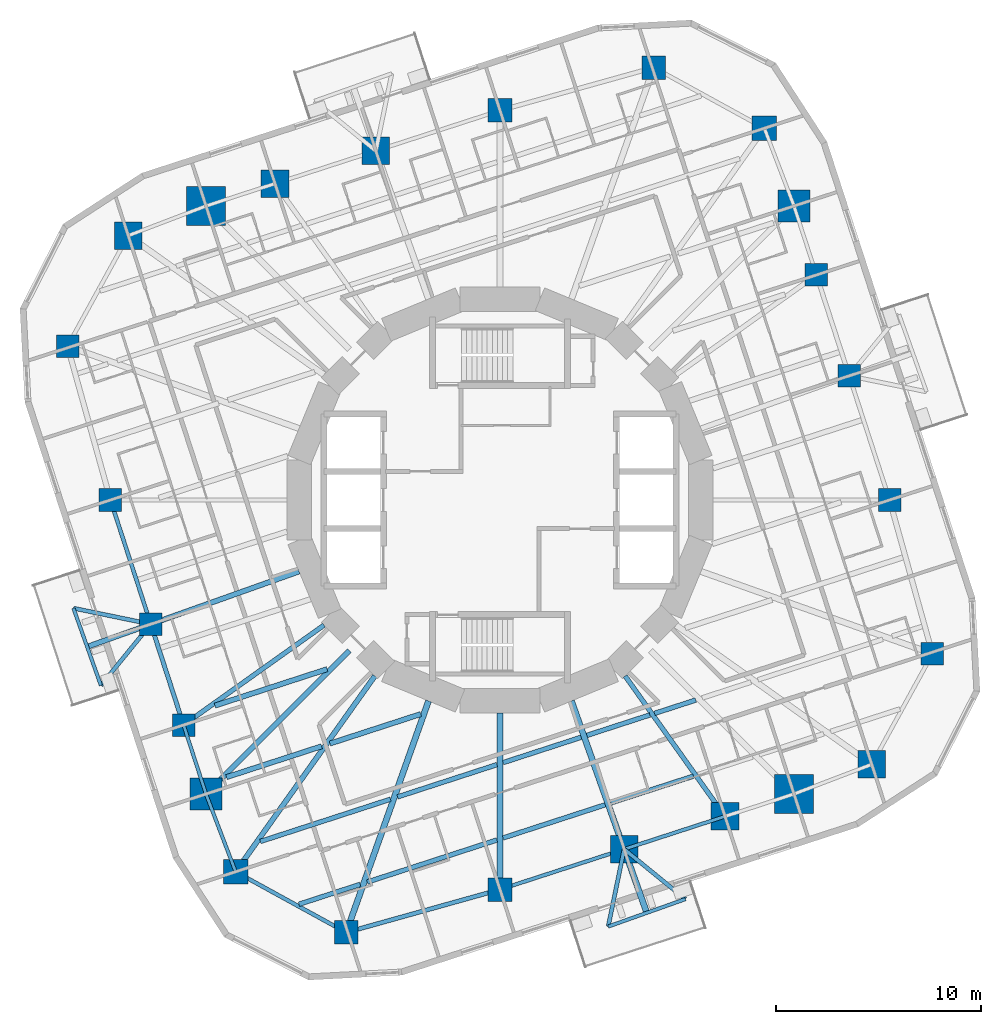
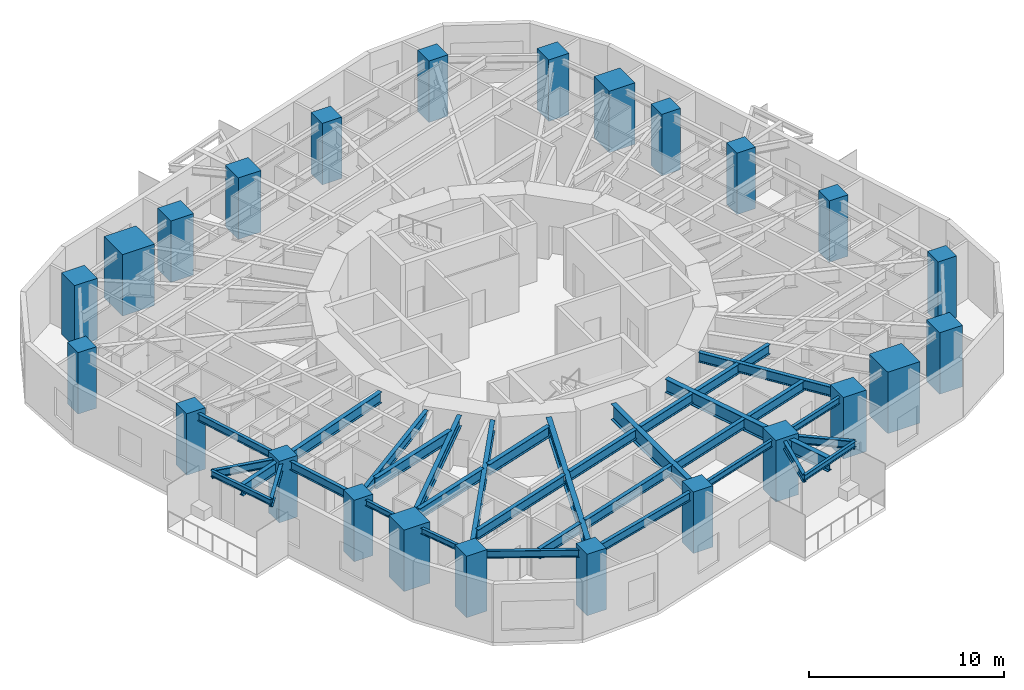
# One storey, part 1 of 13: 34 beams, 24 columns.
"""IFC4 building model written with IfcOpenShell, lengths in metres."""

from ifc_helpers import new_model, si_unit, direction, frame, origin, origin_2d, place, context, subcontext, project, spatial, rectangle, i_section, extrude, material, material_profile, profile_set, type_object, element, save


model = new_model("IFC4")

# Units and contexts
model_context = context("Model", 3, precision=1e-05, world=origin(), true_north=direction((0.0, 1.0)))
body_context = subcontext(model_context, "Body", "Model", "MODEL_VIEW")
ifc_project = project(units=[si_unit("LENGTHUNIT", "METRE"), si_unit("AREAUNIT", "SQUARE_METRE"), si_unit("VOLUMEUNIT", "CUBIC_METRE"), si_unit("PLANEANGLEUNIT", "RADIAN"), si_unit("MASSUNIT", "GRAM", prefix="KILO")], contexts=[model_context])

# Site, building, storey
site_placement = place(None, origin())
site = spatial("IfcSite", under=ifc_project, at=site_placement, CompositionType="ELEMENT")
building_placement = place(site_placement, origin())
building = spatial("IfcBuilding", under=site, at=building_placement, Name="Nakasero Lantern House", CompositionType="ELEMENT")
storey_placement = place(building_placement, frame((0.0, 0.0, 164.89990234375)))
storey = spatial("IfcBuildingStorey", under=building, at=storey_placement, Name="L40", CompositionType="ELEMENT", Elevation=164.89990234375)

# Columns
ifc_material_1 = material(Name="Concrete C50/60", Category="concrete")
ifc_material_profile_1 = material_profile(ifc_material_1, rectangle(XDim=1.550048828125, YDim=1.550048828125, at=origin_2d()), Name="RC 1550x1550")
ifc_profile_set_1 = profile_set([ifc_material_profile_1], Name="Concrete C50/60")
column_type_1 = type_object("IfcColumnType", Name="Mega column RC 1550x1550 C50/60", PredefinedType="COLUMN", material=ifc_profile_set_1)
for number, where, z_axis, x_axis, name in (
    (1, (14.3642578125, 14.3642578125, 0.0), (0.0, 0.0, 1.0), (1.0, 0.0, 0.0), "Column B4-C06 L40"),
    (2, (-14.3642578125, -14.3642578125, 0.0), (0.0, 0.0, 1.0), (1.0, 0.0, 0.0), "Column B4-C18 L40"),
):
    element("IfcColumn", number, at=place(storey_placement, frame(where, z_axis=z_axis, x_axis=x_axis)), inside=storey, type_object=column_type_1, Name=name, PredefinedType="COLUMN", context=body_context, shape_type="SweptSolid", body=[
        extrude(rectangle(XDim=1.550048828125, YDim=1.550048828125, at=origin_2d()), origin(), (0.0, 0.0, 1.0), 3.85009765625),
    ])
ifc_material_2 = material(Name="Concrete C50/60", Category="concrete")
ifc_material_profile_2 = material_profile(ifc_material_2, rectangle(XDim=1.89990234375, YDim=1.89990234375, at=origin_2d()), Name="RC 1900x1900")
ifc_profile_set_2 = profile_set([ifc_material_profile_2], Name="Concrete C50/60")
column_type_2 = type_object("IfcColumnType", Name="Mega column RC 1900x1900 C50/60", PredefinedType="COLUMN", material=ifc_profile_set_2)
for number, where, z_axis, x_axis, name in (
    (3, (-14.3642578125, 14.3642578125, 0.0), (0.0, 0.0, 1.0), (1.0, 0.0, 0.0), "Column B4-C12 L40"),
    (4, (14.3642578125, -14.3642578125, 0.0), (0.0, 0.0, 1.0), (1.0, 0.0, 0.0), "Column B4-C24 L40"),
):
    element("IfcColumn", number, at=place(storey_placement, frame(where, z_axis=z_axis, x_axis=x_axis)), inside=storey, type_object=column_type_2, Name=name, PredefinedType="COLUMN", context=body_context, shape_type="SweptSolid", body=[
        extrude(rectangle(XDim=1.89990234375, YDim=1.89990234375, at=origin_2d()), origin(), (0.0, 0.0, 1.0), 3.85009765625),
    ])
ifc_material_3 = material(Name="Concrete C50/60", Category="concrete")
ifc_material_profile_3 = material_profile(ifc_material_3, rectangle(XDim=1.10009765625, YDim=1.10009765625, at=origin_2d()), Name="RC 1100x1100")
ifc_profile_set_3 = profile_set([ifc_material_profile_3], Name="Concrete C50/60")
column_type_3 = type_object("IfcColumnType", Name="Ring column RC 1100x1100 C50/60", PredefinedType="COLUMN", material=ifc_profile_set_3)
for number, where, z_axis, x_axis, name in (
    (5, (21.129638671875, -7.5126953125, 0.0), (0.0, 0.0, 1.0), (1.0, 0.0, 0.0), "Column B4-C02 L40"),
    (6, (19.031494140625, 0.0, 0.0), (0.0, 0.0, 1.0), (1.0, 0.0, 0.0), "Column B4-C03 L40"),
    (7, (17.060546875, 6.06591796875, 0.0), (0.0, 0.0, 1.0), (1.0, 0.0, 0.0), "Column B4-C04 L40"),
    (8, (15.45947265625, 10.993408203125, 0.0), (0.0, 0.0, 1.0), (1.0, 0.0, 0.0), "Column B4-C05 L40"),
    (9, (-21.129638671875, 7.5126953125, 0.0), (0.0, 0.0, 1.0), (1.0, 0.0, 0.0), "Column B4-C14 L40"),
    (10, (-19.031494140625, 0.0, 0.0), (0.0, 0.0, 1.0), (1.0, 0.0, 0.0), "Column B4-C15 L40"),
    (11, (-17.060546875, -6.06591796875, 0.0), (0.0, 0.0, 1.0), (1.0, 0.0, 0.0), "Column B4-C16 L40"),
    (12, (-15.45947265625, -10.993408203125, 0.0), (0.0, 0.0, 1.0), (1.0, 0.0, 0.0), "Column B4-C17 L40"),
):
    element("IfcColumn", number, at=place(storey_placement, frame(where, z_axis=z_axis, x_axis=x_axis)), inside=storey, type_object=column_type_3, Name=name, PredefinedType="COLUMN", context=body_context, shape_type="SweptSolid", body=[
        extrude(rectangle(XDim=1.10009765625, YDim=1.10009765625, at=origin_2d()), origin(), (0.0, 0.0, 1.0), 3.85009765625),
    ])
ifc_material_4 = material(Name="Concrete C50/60", Category="concrete")
ifc_material_profile_4 = material_profile(ifc_material_4, rectangle(XDim=1.14990234375, YDim=1.14990234375, at=origin_2d()), Name="RC 1150x1150")
ifc_profile_set_4 = profile_set([ifc_material_profile_4], Name="Concrete C50/60")
column_type_4 = type_object("IfcColumnType", Name="Ring column RC 1150x1150 C50/60", PredefinedType="COLUMN", material=ifc_profile_set_4)
for number, where, z_axis, x_axis, name in (
    (13, (7.5126953125, 21.129638671875, 0.0), (0.0, 0.0, 1.0), (1.0, 0.0, 0.0), "Column B4-C08 L40"),
    (14, (0.0, 19.031494140625, 0.0), (0.0, 0.0, 1.0), (1.0, 0.0, 0.0), "Column B4-C09 L40"),
    (15, (-7.5126953125, -21.129638671875, 0.0), (0.0, 0.0, 1.0), (1.0, 0.0, 0.0), "Column B4-C20 L40"),
    (16, (0.0, -19.031494140625, 0.0), (0.0, 0.0, 1.0), (1.0, 0.0, 0.0), "Column B4-C21 L40"),
):
    element("IfcColumn", number, at=place(storey_placement, frame(where, z_axis=z_axis, x_axis=x_axis)), inside=storey, type_object=column_type_4, Name=name, PredefinedType="COLUMN", context=body_context, shape_type="SweptSolid", body=[
        extrude(rectangle(XDim=1.14990234375, YDim=1.14990234375, at=origin_2d()), origin(), (0.0, 0.0, 1.0), 3.85009765625),
    ])
ifc_material_5 = material(Name="Concrete C50/60", Category="concrete")
ifc_material_profile_5 = material_profile(ifc_material_5, rectangle(XDim=1.199951171875, YDim=1.199951171875, at=origin_2d()), Name="RC 1200x1200")
ifc_profile_set_5 = profile_set([ifc_material_profile_5], Name="Concrete C50/60")
column_type_5 = type_object("IfcColumnType", Name="Ring column RC 1200x1200 C50/60", PredefinedType="COLUMN", material=ifc_profile_set_5)
for number, where, z_axis, x_axis, name in (
    (17, (12.916015625, 18.1630859375, 0.0), (0.0, 0.0, 1.0), (1.0, 0.0, 0.0), "Column B4-C07 L40"),
    (18, (-12.916015625, -18.1630859375, 0.0), (0.0, 0.0, 1.0), (1.0, 0.0, 0.0), "Column B4-C19 L40"),
):
    element("IfcColumn", number, at=place(storey_placement, frame(where, z_axis=z_axis, x_axis=x_axis)), inside=storey, type_object=column_type_5, Name=name, PredefinedType="COLUMN", context=body_context, shape_type="SweptSolid", body=[
        extrude(rectangle(XDim=1.199951171875, YDim=1.199951171875, at=origin_2d()), origin(), (0.0, 0.0, 1.0), 3.85009765625),
    ])
ifc_material_6 = material(Name="Concrete C50/60", Category="concrete")
ifc_material_profile_6 = material_profile(ifc_material_6, rectangle(XDim=1.35009765625, YDim=1.35009765625, at=origin_2d()), Name="RC 1350x1350")
ifc_profile_set_6 = profile_set([ifc_material_profile_6], Name="Concrete C50/60")
column_type_6 = type_object("IfcColumnType", Name="Ring column RC 1350x1350 C50/60", PredefinedType="COLUMN", material=ifc_profile_set_6)
for number, where, z_axis, x_axis, name in (
    (19, (18.1630859375, -12.916015625, 0.0), (0.0, 0.0, 1.0), (1.0, 0.0, 0.0), "Column B4-C01 L40"),
    (20, (-6.06591796875, 17.060546875, 0.0), (0.0, 0.0, 1.0), (1.0, 0.0, 0.0), "Column B4-C10 L40"),
    (21, (-10.993408203125, 15.45947265625, 0.0), (0.0, 0.0, 1.0), (1.0, 0.0, 0.0), "Column B4-C11 L40"),
    (22, (-18.1630859375, 12.916015625, 0.0), (0.0, 0.0, 1.0), (1.0, 0.0, 0.0), "Column B4-C13 L40"),
    (23, (6.06591796875, -17.060546875, 0.0), (0.0, 0.0, 1.0), (1.0, 0.0, 0.0), "Column B4-C22 L40"),
    (24, (10.993408203125, -15.45947265625, 0.0), (0.0, 0.0, 1.0), (1.0, 0.0, 0.0), "Column B4-C23 L40"),
):
    element("IfcColumn", number, at=place(storey_placement, frame(where, z_axis=z_axis, x_axis=x_axis)), inside=storey, type_object=column_type_6, Name=name, PredefinedType="COLUMN", context=body_context, shape_type="SweptSolid", body=[
        extrude(rectangle(XDim=1.35009765625, YDim=1.35009765625, at=origin_2d()), origin(), (0.0, 0.0, 1.0), 3.85009765625),
    ])

# Beams
ifc_material_7 = material(Name="Steel S355", Category="steel")
ifc_material_profile_7 = material_profile(ifc_material_7, i_section(OverallWidth=0.199462890625, OverallDepth=0.491943359375, WebThickness=0.01806640625, FlangeThickness=0.031982421875, FilletRadius=0.01025390625, at=origin_2d()), Name="UB 457x191x161")
ifc_profile_set_7 = profile_set([ifc_material_profile_7], Name="Steel S355")
beam_type_1 = type_object("IfcBeamType", Name="Balcony splay beam UB 457x191x161", PredefinedType="BEAM", material=ifc_profile_set_7)
for number, where, z_axis, x_axis, name in (
    (25, (-17.060546875, -6.06591796875, 3.404052734375), (-0.632127727159, -0.774864205236, 0.0), (0.774864205236, -0.632127727159, 0.0), "Balcony splay beam L41 B4-C16A"),
    (26, (-17.060546875, -6.06591796875, 3.404052734375), (-0.979420272605, 0.201831438605, 0.0), (-0.201831438605, -0.979420272605, 0.0), "Balcony splay beam L41 B4-C16B"),
    (27, (6.06591796875, -17.060546875, 3.404052734375), (0.774864205236, -0.632127727159, 0.0), (0.632127727159, 0.774864205236, 0.0), "Balcony splay beam L41 B4-C22A"),
    (28, (6.06591796875, -17.060546875, 3.404052734375), (-0.201831438605, -0.979420272605, 0.0), (0.979420272605, -0.201831438605, 0.0), "Balcony splay beam L41 B4-C22B"),
):
    element("IfcBeam", number, at=place(storey_placement, frame(where, z_axis=z_axis, x_axis=x_axis)), inside=storey, type_object=beam_type_1, Name=name, PredefinedType="BEAM", context=body_context, shape_type="SweptSolid", body=[
        extrude(i_section(OverallWidth=0.199462890625, OverallDepth=0.491943359375, WebThickness=0.01806640625, FlangeThickness=0.031982421875, FilletRadius=0.01025390625, at=origin_2d()), origin(), (0.0, 0.0, 1.0), 3.858642578125),
    ])
ifc_material_8 = material(Name="Steel S355", Category="steel")
ifc_material_profile_8 = material_profile(ifc_material_8, i_section(OverallWidth=0.17138671875, OverallDepth=0.35498046875, WebThickness=0.00732421875, FlangeThickness=0.011474609375, FilletRadius=0.01025390625, at=origin_2d()), Name="UB 356x171x51")
ifc_profile_set_8 = profile_set([ifc_material_profile_8], Name="Steel S355")
beam_type_2 = type_object("IfcBeamType", Name="Balcony tie beam UB 356x171x51", PredefinedType="BEAM", material=ifc_profile_set_8)
for number, where, z_axis, x_axis, name in (
    (29, (-19.499755859375, -9.055908203125, 3.47265625), (-0.335025321236, 0.942209124415, 0.0), (-0.942209124415, -0.335025321236, 0.0), "Balcony tie beam L41 B4-C16"),
    (30, (9.055908203125, -19.499755859375, 3.47265625), (-0.942209124415, -0.335025321236, 0.0), (0.335025321236, -0.942209124415, 0.0), "Balcony tie beam L41 B4-C22"),
):
    element("IfcBeam", number, at=place(storey_placement, frame(where, z_axis=z_axis, x_axis=x_axis)), inside=storey, type_object=beam_type_2, Name=name, PredefinedType="BEAM", context=body_context, shape_type="SweptSolid", body=[
        extrude(i_section(OverallWidth=0.17138671875, OverallDepth=0.35498046875, WebThickness=0.00732421875, FlangeThickness=0.011474609375, FilletRadius=0.01025390625, at=origin_2d()), origin(), (0.0, 0.0, 1.0), 4.0),
    ])
ifc_material_9 = material(Name="Steel S355", Category="steel")
ifc_material_profile_9 = material_profile(ifc_material_9, i_section(OverallWidth=0.22900390625, OverallDepth=0.6123046875, WebThickness=0.011962890625, FlangeThickness=0.01953125, FilletRadius=0.0126953125, at=origin_2d()), Name="UB 610x229x125")
ifc_profile_set_9 = profile_set([ifc_material_profile_9], Name="Steel S355")
beam_type_3 = type_object("IfcBeamType", Name="Infill beam UB 610x229x125", PredefinedType="JOIST", material=ifc_profile_set_9)
beam_1_placement = place(storey_placement, frame((-9.823974609375, -19.75244140625, 3.343994140625), z_axis=(0.951054602662, 0.309022883872, 0.0), x_axis=(-0.309022883872, 0.951054602662, 0.0)))
element("IfcBeam", 31, at=beam_1_placement, inside=storey, type_object=beam_type_3, Name="Infill beam L41 03.1", PredefinedType="JOIST", context=body_context, shape_type="SweptSolid", body=[
    extrude(i_section(OverallWidth=0.22900390625, OverallDepth=0.6123046875, WebThickness=0.011962890625, FlangeThickness=0.01953125, FilletRadius=0.0126953125, at=origin_2d()), origin(), (0.0, 0.0, 1.0), 3.145263671875),
])
beam_2_placement = place(storey_placement, frame((-6.48193359375, -18.66650390625, 3.343994140625), z_axis=(0.951068556075, 0.308979937287, 0.0), x_axis=(-0.308979937287, 0.951068556075, 0.0)))
element("IfcBeam", 32, at=beam_2_placement, inside=storey, type_object=beam_type_3, Name="Infill beam L41 03.2", PredefinedType="JOIST", context=body_context, shape_type="SweptSolid", body=[
    extrude(i_section(OverallWidth=0.22900390625, OverallDepth=0.6123046875, WebThickness=0.011962890625, FlangeThickness=0.01953125, FilletRadius=0.0126953125, at=origin_2d()), origin(), (0.0, 0.0, 1.0), 6.65771484375),
])
beam_3_placement = place(storey_placement, frame((0.14990234375, -16.51171875, 3.343994140625), z_axis=(0.951061765699, 0.309000837904, 0.0), x_axis=(-0.309000837904, 0.951061765699, 0.0)))
element("IfcBeam", 33, at=beam_3_placement, inside=storey, type_object=beam_type_3, Name="Infill beam L41 03.3", PredefinedType="JOIST", context=body_context, shape_type="SweptSolid", body=[
    extrude(i_section(OverallWidth=0.22900390625, OverallDepth=0.6123046875, WebThickness=0.011962890625, FlangeThickness=0.01953125, FilletRadius=0.0126953125, at=origin_2d()), origin(), (0.0, 0.0, 1.0), 5.246337890625),
])
beam_4_placement = place(storey_placement, frame((5.41748046875, -14.80029296875, 3.343994140625), z_axis=(0.951061556317, 0.309001482352, 0.0), x_axis=(-0.309001482352, 0.951061556317, 0.0)))
element("IfcBeam", 34, at=beam_4_placement, inside=storey, type_object=beam_type_3, Name="Infill beam L41 03.4", PredefinedType="JOIST", context=body_context, shape_type="SweptSolid", body=[
    extrude(i_section(OverallWidth=0.22900390625, OverallDepth=0.6123046875, WebThickness=0.011962890625, FlangeThickness=0.01953125, FilletRadius=0.0126953125, at=origin_2d()), origin(), (0.0, 0.0, 1.0), 4.241943359375),
])
beam_5_placement = place(storey_placement, frame((-11.709228515625, -16.68505859375, 3.343994140625), z_axis=(0.951056080098, 0.30901833685, 0.0), x_axis=(-0.30901833685, 0.951056080098, 0.0)))
element("IfcBeam", 35, at=beam_5_placement, inside=storey, type_object=beam_type_3, Name="Infill beam L41 04.1", PredefinedType="JOIST", context=body_context, shape_type="SweptSolid", body=[
    extrude(i_section(OverallWidth=0.22900390625, OverallDepth=0.6123046875, WebThickness=0.011962890625, FlangeThickness=0.01953125, FilletRadius=0.0126953125, at=origin_2d()), origin(), (0.0, 0.0, 1.0), 6.68310546875),
])
beam_6_placement = place(storey_placement, frame((-5.00244140625, -14.505859375, 3.343994140625), z_axis=(0.951057977144, 0.309012498309, 0.0), x_axis=(-0.309012498309, 0.951057977144, 0.0)))
element("IfcBeam", 36, at=beam_6_placement, inside=storey, type_object=beam_type_3, Name="Infill beam L41 04.2", PredefinedType="JOIST", context=body_context, shape_type="SweptSolid", body=[
    extrude(i_section(OverallWidth=0.22900390625, OverallDepth=0.6123046875, WebThickness=0.011962890625, FlangeThickness=0.01953125, FilletRadius=0.0126953125, at=origin_2d()), origin(), (0.0, 0.0, 1.0), 5.102294921875),
])
beam_7_placement = place(storey_placement, frame((0.14990234375, -12.831787109375, 3.343994140625), z_axis=(0.95105910343, 0.309009031878, 0.0), x_axis=(-0.309009031878, 0.95105910343, 0.0)))
element("IfcBeam", 37, at=beam_7_placement, inside=storey, type_object=beam_type_3, Name="Infill beam L41 04.3", PredefinedType="JOIST", context=body_context, shape_type="SweptSolid", body=[
    extrude(i_section(OverallWidth=0.22900390625, OverallDepth=0.6123046875, WebThickness=0.011962890625, FlangeThickness=0.01953125, FilletRadius=0.0126953125, at=origin_2d()), origin(), (0.0, 0.0, 1.0), 4.0126953125),
])
beam_8_placement = place(storey_placement, frame((4.24462890625, -11.501220703125, 3.343994140625), z_axis=(0.951059536905, 0.309007697738, 0.0), x_axis=(-0.309007697738, 0.951059536905, 0.0)))
element("IfcBeam", 38, at=beam_8_placement, inside=storey, type_object=beam_type_3, Name="Infill beam L41 04.4", PredefinedType="JOIST", context=body_context, shape_type="SweptSolid", body=[
    extrude(i_section(OverallWidth=0.22900390625, OverallDepth=0.6123046875, WebThickness=0.011962890625, FlangeThickness=0.01953125, FilletRadius=0.0126953125, at=origin_2d()), origin(), (0.0, 0.0, 1.0), 3.240234375),
])
beam_9_placement = place(storey_placement, frame((7.554443359375, -10.42578125, 3.343994140625), z_axis=(0.951062120034, 0.308999747307, 0.0), x_axis=(-0.308999747307, 0.951062120034, 0.0)))
element("IfcBeam", 39, at=beam_9_placement, inside=storey, type_object=beam_type_3, Name="Infill beam L41 04.5", PredefinedType="JOIST", context=body_context, shape_type="SweptSolid", body=[
    extrude(i_section(OverallWidth=0.22900390625, OverallDepth=0.6123046875, WebThickness=0.011962890625, FlangeThickness=0.01953125, FilletRadius=0.0126953125, at=origin_2d()), origin(), (0.0, 0.0, 1.0), 2.1103515625),
])
ifc_material_10 = material(Name="Steel S355", Category="steel")
ifc_material_profile_10 = material_profile(ifc_material_10, i_section(OverallWidth=0.253662109375, OverallDepth=0.68359375, WebThickness=0.012451171875, FlangeThickness=0.01904296875, FilletRadius=0.01513671875, at=origin_2d()), Name="UB 686x254x140")
ifc_profile_set_10 = profile_set([ifc_material_profile_10], Name="Steel S355")
beam_type_4 = type_object("IfcBeamType", Name="Infill beam UB 686x254x140", PredefinedType="JOIST", material=ifc_profile_set_10)
beam_10_placement = place(storey_placement, frame((-13.36279296875, -13.5419921875, 3.308349609375), z_axis=(0.951061574069, 0.309001427713, 0.0), x_axis=(-0.309001427713, 0.951061574069, 0.0)))
element("IfcBeam", 40, at=beam_10_placement, inside=storey, type_object=beam_type_4, Name="Infill beam L41 05.1", PredefinedType="JOIST", context=body_context, shape_type="SweptSolid", body=[
    extrude(i_section(OverallWidth=0.253662109375, OverallDepth=0.68359375, WebThickness=0.012451171875, FlangeThickness=0.01904296875, FilletRadius=0.01513671875, at=origin_2d()), origin(), (0.0, 0.0, 1.0), 4.8916015625),
])
beam_11_placement = place(storey_placement, frame((-8.305908203125, -11.89892578125, 3.308349609375), z_axis=(0.95106063111, 0.309004329989, 0.0), x_axis=(-0.309004329989, 0.95106063111, 0.0)))
element("IfcBeam", 41, at=beam_11_placement, inside=storey, type_object=beam_type_4, Name="Infill beam L41 05.2", PredefinedType="JOIST", context=body_context, shape_type="SweptSolid", body=[
    extrude(i_section(OverallWidth=0.253662109375, OverallDepth=0.68359375, WebThickness=0.012451171875, FlangeThickness=0.01904296875, FilletRadius=0.01513671875, at=origin_2d()), origin(), (0.0, 0.0, 1.0), 4.659912109375),
])
beam_12_placement = place(storey_placement, frame((-13.93017578125, -10.04638671875, 3.308349609375), z_axis=(0.951055211673, 0.309021009559, 0.0), x_axis=(-0.309021009559, 0.951055211673, 0.0)))
element("IfcBeam", 42, at=beam_12_placement, inside=storey, type_object=beam_type_4, Name="Infill beam L41 06.1", PredefinedType="JOIST", context=body_context, shape_type="SweptSolid", body=[
    extrude(i_section(OverallWidth=0.253662109375, OverallDepth=0.68359375, WebThickness=0.012451171875, FlangeThickness=0.01904296875, FilletRadius=0.01513671875, at=origin_2d()), origin(), (0.0, 0.0, 1.0), 5.769775390625),
])
ifc_material_11 = material(Name="Steel S355", Category="steel")
ifc_material_profile_11 = material_profile(ifc_material_11, i_section(OverallWidth=0.300048828125, OverallDepth=0.989990234375, WebThickness=0.0166015625, FlangeThickness=0.031005859375, FilletRadius=0.030029296875, at=origin_2d()), Name="UB 1016x305x272")
ifc_profile_set_11 = profile_set([ifc_material_profile_11], Name="Steel S355")
beam_type_5 = type_object("IfcBeamType", Name="Primary beam UB 1016x305x272, span 6 to 9 m", PredefinedType="BEAM", material=ifc_profile_set_11)
beam_13_placement = place(storey_placement, frame((0.0, -19.031494140625, 3.155029296875), z_axis=(0.0, 1.0, 0.0), x_axis=(-1.0, 0.0, 0.0)))
element("IfcBeam", 43, at=beam_13_placement, inside=storey, type_object=beam_type_5, Name="Primary beam L41 B4-C21", PredefinedType="BEAM", context=body_context, shape_type="SweptSolid", body=[
    extrude(i_section(OverallWidth=0.300048828125, OverallDepth=0.989990234375, WebThickness=0.0166015625, FlangeThickness=0.031005859375, FilletRadius=0.030029296875, at=origin_2d()), origin(), (0.0, 0.0, 1.0), 8.62353515625),
])
ifc_material_12 = material(Name="Steel S355", Category="steel")
ifc_material_profile_12 = material_profile(ifc_material_12, i_section(OverallWidth=0.22900390625, OverallDepth=0.6123046875, WebThickness=0.011962890625, FlangeThickness=0.01953125, FilletRadius=0.0126953125, at=origin_2d()), Name="UB 610x229x125")
ifc_profile_set_12 = profile_set([ifc_material_profile_12], Name="Steel S355")
beam_type_6 = type_object("IfcBeamType", Name="Primary beam UB 610x229x125, span 6 to 9 m", PredefinedType="BEAM", material=ifc_profile_set_12)
for number, where, z_axis, x_axis, name in (
    (44, (-15.45947265625, -10.993408203125, 3.343994140625), (0.81495106139, 0.579529781409, 0.0), (-0.579529781409, 0.81495106139, 0.0), "Primary beam L41 B4-C17"),
    (45, (10.993408203125, -15.45947265625, 3.343994140625), (-0.579529781409, 0.81495106139, 0.0), (-0.81495106139, -0.579529781409, 0.0), "Primary beam L41 B4-C23"),
):
    element("IfcBeam", number, at=place(storey_placement, frame(where, z_axis=z_axis, x_axis=x_axis)), inside=storey, type_object=beam_type_6, Name=name, PredefinedType="BEAM", context=body_context, shape_type="SweptSolid", body=[
        extrude(i_section(OverallWidth=0.22900390625, OverallDepth=0.6123046875, WebThickness=0.011962890625, FlangeThickness=0.01953125, FilletRadius=0.0126953125, at=origin_2d()), origin(), (0.0, 0.0, 1.0), 8.41455078125),
    ])
ifc_material_13 = material(Name="Steel S355", Category="steel")
ifc_material_profile_13 = material_profile(ifc_material_13, i_section(OverallWidth=0.253662109375, OverallDepth=0.68359375, WebThickness=0.012451171875, FlangeThickness=0.01904296875, FilletRadius=0.01513671875, at=origin_2d()), Name="UB 686x254x140")
ifc_profile_set_13 = profile_set([ifc_material_profile_13], Name="Steel S355")
beam_type_7 = type_object("IfcBeamType", Name="Primary beam UB 686x254x140, span 6 to 9 m", PredefinedType="BEAM", material=ifc_profile_set_13)
beam_14_placement = place(storey_placement, frame((-20.169921875, -7.17138671875, 3.308349609375), z_axis=(0.942215625619, 0.335007036998, 0.0), x_axis=(-0.335007036998, 0.942215625619, 0.0)))
element("IfcBeam", 46, at=beam_14_placement, inside=storey, type_object=beam_type_7, Name="Primary beam L41 B4-C16", PredefinedType="BEAM", context=body_context, shape_type="SweptSolid", body=[
    extrude(i_section(OverallWidth=0.253662109375, OverallDepth=0.68359375, WebThickness=0.012451171875, FlangeThickness=0.01904296875, FilletRadius=0.01513671875, at=origin_2d()), origin(), (0.0, 0.0, 1.0), 10.9853515625),
])
ifc_material_14 = material(Name="Steel S355", Category="steel")
ifc_material_profile_14 = material_profile(ifc_material_14, i_section(OverallWidth=0.253662109375, OverallDepth=0.68359375, WebThickness=0.012451171875, FlangeThickness=0.01904296875, FilletRadius=0.01513671875, at=origin_2d()), Name="UB 686x254x140")
ifc_profile_set_14 = profile_set([ifc_material_profile_14], Name="Steel S355")
beam_type_8 = type_object("IfcBeamType", Name="Primary beam UB 686x254x140, span 9 to 12 m", PredefinedType="BEAM", material=ifc_profile_set_14)
beam_15_placement = place(storey_placement, frame((-14.3642578125, -14.3642578125, 3.308349609375), z_axis=(0.707106781187, 0.707106781187, 0.0), x_axis=(-0.707106781187, 0.707106781187, 0.0)))
element("IfcBeam", 47, at=beam_15_placement, inside=storey, type_object=beam_type_8, Name="Primary beam L41 B4-C18", PredefinedType="BEAM", context=body_context, shape_type="SweptSolid", body=[
    extrude(i_section(OverallWidth=0.253662109375, OverallDepth=0.68359375, WebThickness=0.012451171875, FlangeThickness=0.01904296875, FilletRadius=0.01513671875, at=origin_2d()), origin(), (0.0, 0.0, 1.0), 9.906494140625),
])
beam_16_placement = place(storey_placement, frame((-12.916015625, -18.1630859375, 3.308349609375), z_axis=(0.579530236062, 0.814950738075, 0.0), x_axis=(-0.814950738075, 0.579530236062, 0.0)))
element("IfcBeam", 48, at=beam_16_placement, inside=storey, type_object=beam_type_8, Name="Primary beam L41 B4-C19", PredefinedType="BEAM", context=body_context, shape_type="SweptSolid", body=[
    extrude(i_section(OverallWidth=0.253662109375, OverallDepth=0.68359375, WebThickness=0.012451171875, FlangeThickness=0.01904296875, FilletRadius=0.01513671875, at=origin_2d()), origin(), (0.0, 0.0, 1.0), 11.73193359375),
])
ifc_material_15 = material(Name="Steel S355", Category="steel")
ifc_material_profile_15 = material_profile(ifc_material_15, i_section(OverallWidth=0.29248046875, OverallDepth=0.8408203125, WebThickness=0.0146484375, FlangeThickness=0.02685546875, FilletRadius=0.017822265625, at=origin_2d()), Name="UB 838x292x194")
ifc_profile_set_15 = profile_set([ifc_material_profile_15], Name="Steel S355")
beam_type_9 = type_object("IfcBeamType", Name="Primary beam UB 838x292x194, span 12 to 15 m", PredefinedType="BEAM", material=ifc_profile_set_15)
beam_17_placement = place(storey_placement, frame((-7.5126953125, -21.129638671875, 3.229736328125), z_axis=(0.335012877559, 0.942213548974, 0.0), x_axis=(-0.942213548974, 0.335012877559, 0.0)))
element("IfcBeam", 49, at=beam_17_placement, inside=storey, type_object=beam_type_9, Name="Primary beam L41 B4-C20", PredefinedType="BEAM", context=body_context, shape_type="SweptSolid", body=[
    extrude(i_section(OverallWidth=0.29248046875, OverallDepth=0.8408203125, WebThickness=0.0146484375, FlangeThickness=0.02685546875, FilletRadius=0.017822265625, at=origin_2d()), origin(), (0.0, 0.0, 1.0), 12.00390625),
])
ifc_material_16 = material(Name="Steel S355", Category="steel")
ifc_material_profile_16 = material_profile(ifc_material_16, i_section(OverallWidth=0.29248046875, OverallDepth=0.8408203125, WebThickness=0.0146484375, FlangeThickness=0.02685546875, FilletRadius=0.017822265625, at=origin_2d()), Name="UB 838x292x194")
ifc_profile_set_16 = profile_set([ifc_material_profile_16], Name="Steel S355")
beam_type_10 = type_object("IfcBeamType", Name="Primary beam UB 838x292x194, span 6 to 9 m", PredefinedType="BEAM", material=ifc_profile_set_16)
beam_18_placement = place(storey_placement, frame((7.17138671875, -20.169921875, 3.229736328125), z_axis=(-0.335007036998, 0.942215625619, 0.0), x_axis=(-0.942215625619, -0.335007036998, 0.0)))
element("IfcBeam", 50, at=beam_18_placement, inside=storey, type_object=beam_type_10, Name="Primary beam L41 B4-C22", PredefinedType="BEAM", context=body_context, shape_type="SweptSolid", body=[
    extrude(i_section(OverallWidth=0.29248046875, OverallDepth=0.8408203125, WebThickness=0.0146484375, FlangeThickness=0.02685546875, FilletRadius=0.017822265625, at=origin_2d()), origin(), (0.0, 0.0, 1.0), 10.9853515625),
])
ifc_material_17 = material(Name="Steel S355", Category="steel")
ifc_material_profile_17 = material_profile(ifc_material_17, i_section(OverallWidth=0.17138671875, OverallDepth=0.35498046875, WebThickness=0.00732421875, FlangeThickness=0.011474609375, FilletRadius=0.01025390625, at=origin_2d()), Name="UB 356x171x51")
ifc_profile_set_17 = profile_set([ifc_material_profile_17], Name="Steel S355")
beam_type_11 = type_object("IfcBeamType", Name="Ring beam UB 356x171x51", PredefinedType="BEAM", material=ifc_profile_set_17)
beam_19_placement = place(storey_placement, frame((-15.45947265625, -10.993408203125, 3.47265625), z_axis=(0.309006636447, -0.951059881727, 0.0), x_axis=(0.951059881727, 0.309006636447, 0.0)))
element("IfcBeam", 51, at=beam_19_placement, inside=storey, type_object=beam_type_11, Name="Ring beam L41 B4-C17", PredefinedType="BEAM", context=body_context, shape_type="SweptSolid", body=[
    extrude(i_section(OverallWidth=0.17138671875, OverallDepth=0.35498046875, WebThickness=0.00732421875, FlangeThickness=0.011474609375, FilletRadius=0.01025390625, at=origin_2d()), origin(), (0.0, 0.0, 1.0), 3.544189453125),
])
beam_20_placement = place(storey_placement, frame((-14.3642578125, -14.3642578125, 3.47265625), z_axis=(0.35622505813, -0.934400186194, 0.0), x_axis=(0.934400186194, 0.35622505813, 0.0)))
element("IfcBeam", 52, at=beam_20_placement, inside=storey, type_object=beam_type_11, Name="Ring beam L41 B4-C18", PredefinedType="BEAM", context=body_context, shape_type="SweptSolid", body=[
    extrude(i_section(OverallWidth=0.17138671875, OverallDepth=0.35498046875, WebThickness=0.00732421875, FlangeThickness=0.011474609375, FilletRadius=0.01025390625, at=origin_2d()), origin(), (0.0, 0.0, 1.0), 4.0654296875),
])
ifc_material_18 = material(Name="Steel S355", Category="steel")
ifc_material_profile_18 = material_profile(ifc_material_18, i_section(OverallWidth=0.177978515625, OverallDepth=0.406494140625, WebThickness=0.0078125, FlangeThickness=0.0126953125, FilletRadius=0.01025390625, at=origin_2d()), Name="UB 406x178x60")
ifc_profile_set_18 = profile_set([ifc_material_profile_18], Name="Steel S355")
beam_type_12 = type_object("IfcBeamType", Name="Ring beam UB 406x178x60", PredefinedType="BEAM", material=ifc_profile_set_18)
beam_21_placement = place(storey_placement, frame((6.06591796875, -17.060546875, 3.44677734375), z_axis=(0.95105449754, 0.309023207396, 0.0), x_axis=(-0.309023207396, 0.95105449754, 0.0)))
element("IfcBeam", 53, at=beam_21_placement, inside=storey, type_object=beam_type_12, Name="Ring beam L41 B4-C22", PredefinedType="BEAM", context=body_context, shape_type="SweptSolid", body=[
    extrude(i_section(OverallWidth=0.177978515625, OverallDepth=0.406494140625, WebThickness=0.0078125, FlangeThickness=0.0126953125, FilletRadius=0.01025390625, at=origin_2d()), origin(), (0.0, 0.0, 1.0), 5.18115234375),
])
ifc_material_19 = material(Name="Steel S355", Category="steel")
ifc_material_profile_19 = material_profile(ifc_material_19, i_section(OverallWidth=0.179443359375, OverallDepth=0.412841796875, WebThickness=0.009521484375, FlangeThickness=0.01611328125, FilletRadius=0.01025390625, at=origin_2d()), Name="UB 406x178x74")
ifc_profile_set_19 = profile_set([ifc_material_profile_19], Name="Steel S355")
beam_type_13 = type_object("IfcBeamType", Name="Ring beam UB 406x178x74", PredefinedType="BEAM", material=ifc_profile_set_19)
beam_22_placement = place(storey_placement, frame((0.0, -19.031494140625, 3.443603515625), z_axis=(0.951056007502, 0.309018560274, 0.0), x_axis=(-0.309018560274, 0.951056007502, 0.0)))
element("IfcBeam", 54, at=beam_22_placement, inside=storey, type_object=beam_type_13, Name="Ring beam L41 B4-C21", PredefinedType="BEAM", context=body_context, shape_type="SweptSolid", body=[
    extrude(i_section(OverallWidth=0.179443359375, OverallDepth=0.412841796875, WebThickness=0.009521484375, FlangeThickness=0.01611328125, FilletRadius=0.01025390625, at=origin_2d()), origin(), (0.0, 0.0, 1.0), 6.378173828125),
])
ifc_material_20 = material(Name="Steel S355", Category="steel")
ifc_material_profile_20 = material_profile(ifc_material_20, i_section(OverallWidth=0.18994140625, OverallDepth=0.453369140625, WebThickness=0.008544921875, FlangeThickness=0.0126953125, FilletRadius=0.01025390625, at=origin_2d()), Name="UB 457x191x67")
ifc_profile_set_20 = profile_set([ifc_material_profile_20], Name="Steel S355")
beam_type_14 = type_object("IfcBeamType", Name="Ring beam UB 457x191x67", PredefinedType="BEAM", material=ifc_profile_set_20)
beam_23_placement = place(storey_placement, frame((-19.031494140625, 0.0, 3.42333984375), z_axis=(0.309018560274, -0.951056007502, 0.0), x_axis=(0.951056007502, 0.309018560274, 0.0)))
element("IfcBeam", 55, at=beam_23_placement, inside=storey, type_object=beam_type_14, Name="Ring beam L41 B4-C15", PredefinedType="BEAM", context=body_context, shape_type="SweptSolid", body=[
    extrude(i_section(OverallWidth=0.18994140625, OverallDepth=0.453369140625, WebThickness=0.008544921875, FlangeThickness=0.0126953125, FilletRadius=0.01025390625, at=origin_2d()), origin(), (0.0, 0.0, 1.0), 6.378173828125),
])
beam_24_placement = place(storey_placement, frame((-12.916015625, -18.1630859375, 3.42333984375), z_axis=(0.876576912681, -0.481261795861, 0.0), x_axis=(0.481261795861, 0.876576912681, 0.0)))
element("IfcBeam", 56, at=beam_24_placement, inside=storey, type_object=beam_type_14, Name="Ring beam L41 B4-C19", PredefinedType="BEAM", context=body_context, shape_type="SweptSolid", body=[
    extrude(i_section(OverallWidth=0.18994140625, OverallDepth=0.453369140625, WebThickness=0.008544921875, FlangeThickness=0.0126953125, FilletRadius=0.01025390625, at=origin_2d()), origin(), (0.0, 0.0, 1.0), 6.1640625),
])
ifc_material_21 = material(Name="Steel S355", Category="steel")
ifc_material_profile_21 = material_profile(ifc_material_21, i_section(OverallWidth=0.2099609375, OverallDepth=0.53662109375, WebThickness=0.0107421875, FlangeThickness=0.017333984375, FilletRadius=0.0126953125, at=origin_2d()), Name="UB 533x210x101")
ifc_profile_set_21 = profile_set([ifc_material_profile_21], Name="Steel S355")
beam_type_15 = type_object("IfcBeamType", Name="Ring beam UB 533x210x101", PredefinedType="BEAM", material=ifc_profile_set_21)
beam_25_placement = place(storey_placement, frame((-17.060546875, -6.06591796875, 3.3818359375), z_axis=(0.309023207396, -0.95105449754, 0.0), x_axis=(0.95105449754, 0.309023207396, 0.0)))
element("IfcBeam", 57, at=beam_25_placement, inside=storey, type_object=beam_type_15, Name="Ring beam L41 B4-C16", PredefinedType="BEAM", context=body_context, shape_type="SweptSolid", body=[
    extrude(i_section(OverallWidth=0.2099609375, OverallDepth=0.53662109375, WebThickness=0.0107421875, FlangeThickness=0.017333984375, FilletRadius=0.0126953125, at=origin_2d()), origin(), (0.0, 0.0, 1.0), 5.18115234375),
])
ifc_material_22 = material(Name="Steel S355", Category="steel")
ifc_material_profile_22 = material_profile(ifc_material_22, i_section(OverallWidth=0.208740234375, OverallDepth=0.5283203125, WebThickness=0.009521484375, FlangeThickness=0.01318359375, FilletRadius=0.0126953125, at=origin_2d()), Name="UB 533x210x82")
ifc_profile_set_22 = profile_set([ifc_material_profile_22], Name="Steel S355")
beam_type_16 = type_object("IfcBeamType", Name="Ring beam UB 533x210x82", PredefinedType="BEAM", material=ifc_profile_set_22)
beam_26_placement = place(storey_placement, frame((-7.5126953125, -21.129638671875, 3.385986328125), z_axis=(0.963143892339, 0.268986696047, 0.0), x_axis=(-0.268986696047, 0.963143892339, 0.0)))
element("IfcBeam", 58, at=beam_26_placement, inside=storey, type_object=beam_type_16, Name="Ring beam L41 B4-C20", PredefinedType="BEAM", context=body_context, shape_type="SweptSolid", body=[
    extrude(i_section(OverallWidth=0.208740234375, OverallDepth=0.5283203125, WebThickness=0.009521484375, FlangeThickness=0.01318359375, FilletRadius=0.0126953125, at=origin_2d()), origin(), (0.0, 0.0, 1.0), 7.80029296875),
])

save(model, "model.ifc")
